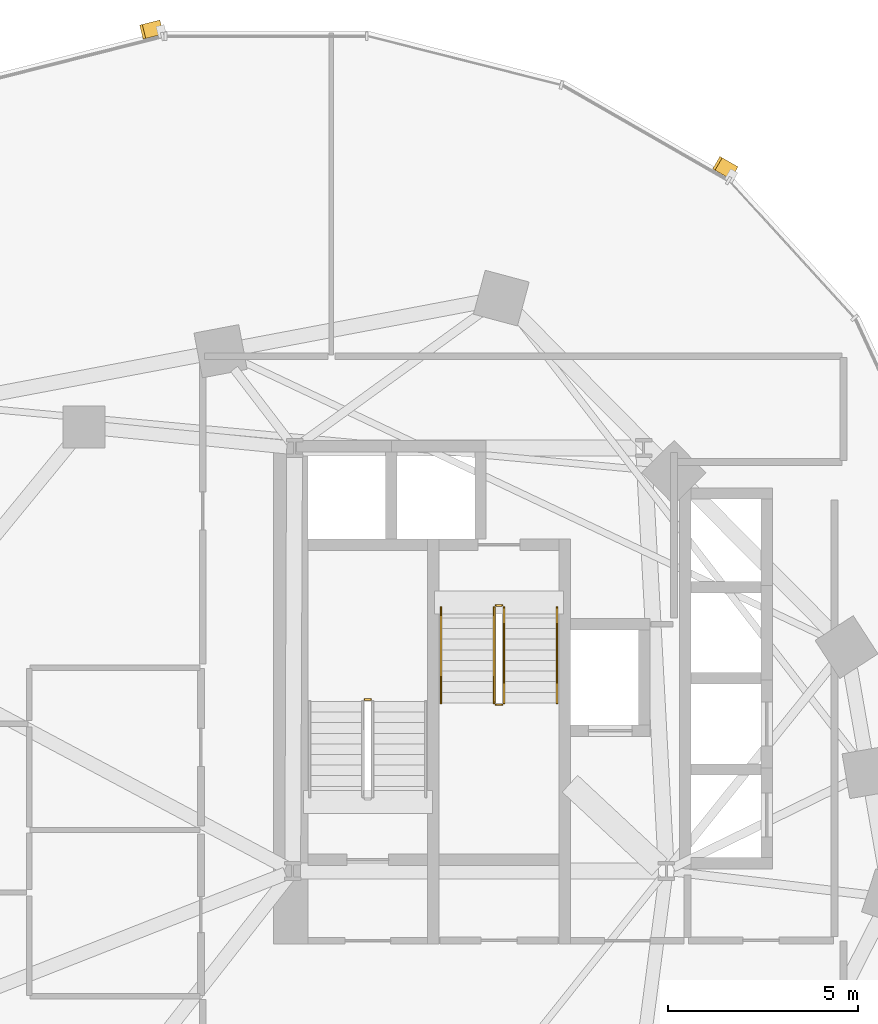
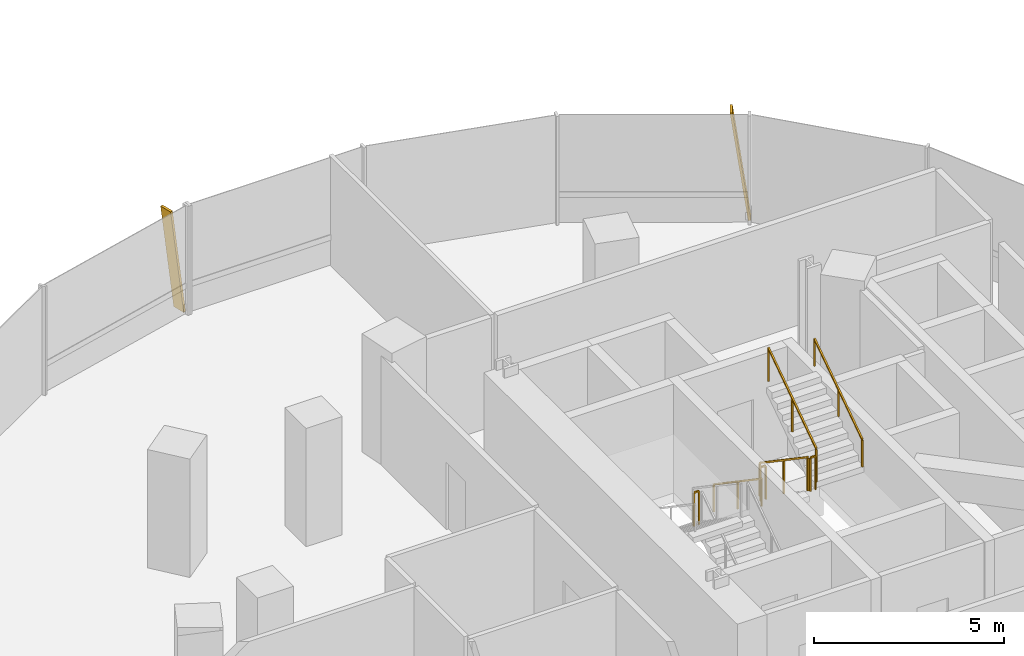
# One storey, part 19 of 21: 7 railings, 2 shading devices.
"""IFC4 building model written with IfcOpenShell, lengths in metres."""

from ifc_helpers import new_model, si_unit, direction, frame, origin, origin_2d, place, context, subcontext, project, spatial, rectangle, extrude, material, material_profile, profile_set, type_object, element, save


model = new_model("IFC4")

# Units and contexts
model_context = context("Model", 3, precision=1e-05, world=origin(), true_north=direction((0.0, 1.0)))
body_context = subcontext(model_context, "Body", "Model", "MODEL_VIEW")
ifc_project = project(units=[si_unit("LENGTHUNIT", "METRE"), si_unit("AREAUNIT", "SQUARE_METRE"), si_unit("VOLUMEUNIT", "CUBIC_METRE"), si_unit("PLANEANGLEUNIT", "RADIAN"), si_unit("MASSUNIT", "GRAM", prefix="KILO"), si_unit("THERMODYNAMICTEMPERATUREUNIT", "KELVIN"), si_unit("POWERUNIT", "WATT")], contexts=[model_context])

# Site, building, storey
site_placement = place(None, origin())
site = spatial("IfcSite", under=ifc_project, at=site_placement, CompositionType="ELEMENT")
building_placement = place(site_placement, origin())
building = spatial("IfcBuilding", under=site, at=building_placement, Name="Cundina Bronze Exchange", CompositionType="ELEMENT")
storey_placement = place(building_placement, frame((0.0, 0.0, 50.60009765625)))
storey = spatial("IfcBuildingStorey", under=building, at=storey_placement, Name="L12", CompositionType="ELEMENT", Elevation=50.60009765625)

# Railings
ifc_material_1 = material(Name="Steel ASTM A36 Painted", Category="steel")
railing_type_1 = type_object("IfcRailingType", Name="RLG-HND-900", PredefinedType="HANDRAIL", material=ifc_material_1)
railing_1_placement = place(storey_placement, frame((-27.389892578125, 10.85009765625, 0.18994140625)))
element("IfcRailing", 1, at=railing_1_placement, inside=storey, type_object=railing_type_1, Name="L12 ST-W2 stair handrail 1", PredefinedType="HANDRAIL", context=body_context, shape_type="SweptSolid", body=[
    extrude(rectangle(XDim=0.048095703125, YDim=0.048095703125, at=origin_2d()), frame((0.0, 0.0, 0.8759765625), z_axis=(0.0, -0.827483756001, 0.561489655786), x_axis=(1.0, 0.0, 0.0)), (0.0, 0.0, 1.0), 3.04541015625),
    extrude(rectangle(XDim=0.0419921875, YDim=0.0419921875, at=origin_2d()), origin(), (0.0, 0.0, 1.0), 0.851806640625),
    extrude(rectangle(XDim=0.0419921875, YDim=0.0419921875, at=origin_2d()), frame((0.0, -1.260009765625, 0.85498046875)), (0.0, 0.0, 1.0), 0.851806640625),
    extrude(rectangle(XDim=0.0419921875, YDim=0.0419921875, at=origin_2d()), frame((0.0, -2.52001953125, 1.7099609375)), (0.0, 0.0, 1.0), 0.851806640625),
])
railing_2_placement = place(storey_placement, frame((-24.330078125, 8.330078125, 2.08984375)))
element("IfcRailing", 2, at=railing_2_placement, inside=storey, type_object=railing_type_1, Name="L12 ST-W2 stair handrail 2", PredefinedType="HANDRAIL", context=body_context, shape_type="SweptSolid", body=[
    extrude(rectangle(XDim=0.048095703125, YDim=0.048095703125, at=origin_2d()), frame((0.0, 0.0, 0.8759765625), z_axis=(0.0, 0.827483756001, 0.561489655786), x_axis=(-1.0, 0.0, 0.0)), (0.0, 0.0, 1.0), 3.04541015625),
    extrude(rectangle(XDim=0.0419921875, YDim=0.0419921875, at=origin_2d()), origin(), (0.0, 0.0, 1.0), 0.851806640625),
    extrude(rectangle(XDim=0.0419921875, YDim=0.0419921875, at=origin_2d()), frame((0.0, 1.260009765625, 0.85498046875)), (0.0, 0.0, 1.0), 0.851806640625),
    extrude(rectangle(XDim=0.0419921875, YDim=0.0419921875, at=origin_2d()), frame((0.0, 2.52001953125, 1.7099609375)), (0.0, 0.0, 1.0), 0.851806640625),
])
railing_type_2 = type_object("IfcRailingType", Name="RLG-STG-1100", PredefinedType="GUARDRAIL", material=ifc_material_1)
railing_3_placement = place(storey_placement, frame((-29.239990234375, 8.419921875, 1.89990234375)))
element("IfcRailing", 3, at=railing_3_placement, inside=storey, type_object=railing_type_2, Name="L12 ST-W1 stair guard 2", PredefinedType="GUARDRAIL", context=body_context, shape_type="SweptSolid", body=[
    extrude(rectangle(XDim=0.048095703125, YDim=0.048095703125, at=origin_2d()), frame((0.0, 0.0, 1.076171875), z_axis=(-1.0, 0.0, 0.0), x_axis=(0.0, -1.0, 0.0)), (0.0, 0.0, 1.0), 0.159912109375),
    extrude(rectangle(XDim=0.0419921875, YDim=0.0419921875, at=origin_2d()), origin(), (0.0, 0.0, 1.0), 1.052001953125),
    extrude(rectangle(XDim=0.0419921875, YDim=0.0419921875, at=origin_2d()), frame((-0.159912109375, 0.0, 0.0)), (0.0, 0.0, 1.0), 1.052001953125),
])
railing_4_placement = place(storey_placement, frame((-25.989990234375, 10.85009765625, 0.18994140625)))
element("IfcRailing", 4, at=railing_4_placement, inside=storey, type_object=railing_type_2, Name="L12 ST-W2 stair guard 1", PredefinedType="GUARDRAIL", context=body_context, shape_type="SweptSolid", body=[
    extrude(rectangle(XDim=0.048095703125, YDim=0.048095703125, at=origin_2d()), frame((0.0, 0.0, 1.076171875), z_axis=(0.0, -0.827483756001, 0.561489655786), x_axis=(1.0, 0.0, 0.0)), (0.0, 0.0, 1.0), 3.04541015625),
    extrude(rectangle(XDim=0.0419921875, YDim=0.0419921875, at=origin_2d()), origin(), (0.0, 0.0, 1.0), 1.052001953125),
    extrude(rectangle(XDim=0.0419921875, YDim=0.0419921875, at=origin_2d()), frame((0.0, -1.260009765625, 0.85498046875)), (0.0, 0.0, 1.0), 1.052001953125),
    extrude(rectangle(XDim=0.0419921875, YDim=0.0419921875, at=origin_2d()), frame((0.0, -2.52001953125, 1.7099609375)), (0.0, 0.0, 1.0), 1.052001953125),
])
railing_5_placement = place(storey_placement, frame((-25.93994140625, 8.280029296875, 1.89990234375)))
element("IfcRailing", 5, at=railing_5_placement, inside=storey, type_object=railing_type_2, Name="L12 ST-W2 stair guard 2", PredefinedType="GUARDRAIL", context=body_context, shape_type="SweptSolid", body=[
    extrude(rectangle(XDim=0.048095703125, YDim=0.048095703125, at=origin_2d()), frame((0.0, 0.0, 1.076171875), z_axis=(1.0, 0.0, 0.0), x_axis=(0.0, 1.0, 0.0)), (0.0, 0.0, 1.0), 0.159912109375),
    extrude(rectangle(XDim=0.0419921875, YDim=0.0419921875, at=origin_2d()), origin(), (0.0, 0.0, 1.0), 1.052001953125),
    extrude(rectangle(XDim=0.0419921875, YDim=0.0419921875, at=origin_2d()), frame((0.159912109375, 0.0, 0.0)), (0.0, 0.0, 1.0), 1.052001953125),
])
railing_6_placement = place(storey_placement, frame((-25.72998046875, 8.330078125, 2.08984375)))
element("IfcRailing", 6, at=railing_6_placement, inside=storey, type_object=railing_type_2, Name="L12 ST-W2 stair guard 3", PredefinedType="GUARDRAIL", context=body_context, shape_type="SweptSolid", body=[
    extrude(rectangle(XDim=0.048095703125, YDim=0.048095703125, at=origin_2d()), frame((0.0, 0.0, 1.076171875), z_axis=(0.0, 0.827483756001, 0.561489655786), x_axis=(-1.0, 0.0, 0.0)), (0.0, 0.0, 1.0), 3.04541015625),
    extrude(rectangle(XDim=0.0419921875, YDim=0.0419921875, at=origin_2d()), origin(), (0.0, 0.0, 1.0), 1.052001953125),
    extrude(rectangle(XDim=0.0419921875, YDim=0.0419921875, at=origin_2d()), frame((0.0, 1.260009765625, 0.85498046875)), (0.0, 0.0, 1.0), 1.052001953125),
    extrude(rectangle(XDim=0.0419921875, YDim=0.0419921875, at=origin_2d()), frame((0.0, 2.52001953125, 1.7099609375)), (0.0, 0.0, 1.0), 1.052001953125),
])
railing_7_placement = place(storey_placement, frame((-25.93994140625, 10.89990234375, 0.0)))
element("IfcRailing", 7, at=railing_7_placement, inside=storey, type_object=railing_type_2, Name="L12 ST-W2 stair guard 4", PredefinedType="GUARDRAIL", context=body_context, shape_type="SweptSolid", body=[
    extrude(rectangle(XDim=0.048095703125, YDim=0.048095703125, at=origin_2d()), frame((0.0, 0.0, 1.076171875), z_axis=(1.0, 0.0, 0.0), x_axis=(0.0, 1.0, 0.0)), (0.0, 0.0, 1.0), 0.159912109375),
    extrude(rectangle(XDim=0.0419921875, YDim=0.0419921875, at=origin_2d()), origin(), (0.0, 0.0, 1.0), 1.052001953125),
    extrude(rectangle(XDim=0.0419921875, YDim=0.0419921875, at=origin_2d()), frame((0.159912109375, 0.0, 0.0)), (0.0, 0.0, 1.0), 1.052001953125),
])

# Shading devices
ifc_material_2 = material(Name="Anodised Bronze Aluminium 6063-T6", Category="aluminium")
ifc_material_profile = material_profile(ifc_material_2, rectangle(XDim=0.070068359375, YDim=0.3798828125, at=origin_2d()), Name="FIN70X380", Category="aluminium")
ifc_profile_set = profile_set([ifc_material_profile], Name="Anodised Bronze Aluminium 6063-T6")
shading_device_type = type_object("IfcShadingDeviceType", Name="SHD-FIN-BRZ380", PredefinedType="USERDEFINED", material=ifc_profile_set)
for number, where, z_axis, x_axis, name in (
    (8, (-19.685791015625, 22.314208984375, 0.02001953125), (-0.119166378275, 0.06842456559, 0.990513731915), (0.85898178632, -0.493221799887, 0.137413779831), "L12 Diagonal Bronze Solar Fin 5"),
    (9, (-34.787353515625, 26.138427734375, 0.02001953125), (-0.133214830938, -0.033688115694, 0.990514472221), (0.960284642503, 0.242842181368, 0.137408443412), "L12 Diagonal Bronze Solar Fin 1"),
):
    element("IfcShadingDevice", number, at=place(storey_placement, frame(where, z_axis=z_axis, x_axis=x_axis)), inside=storey, type_object=shading_device_type, Name=name, ObjectType="FIN", PredefinedType="USERDEFINED", context=body_context, shape_type="SweptSolid", body=[
        extrude(rectangle(XDim=0.070068359375, YDim=0.3798828125, at=origin_2d()), origin(), (0.0, 0.0, 1.0), 3.4931640625),
    ])

save(model, "model.ifc")
